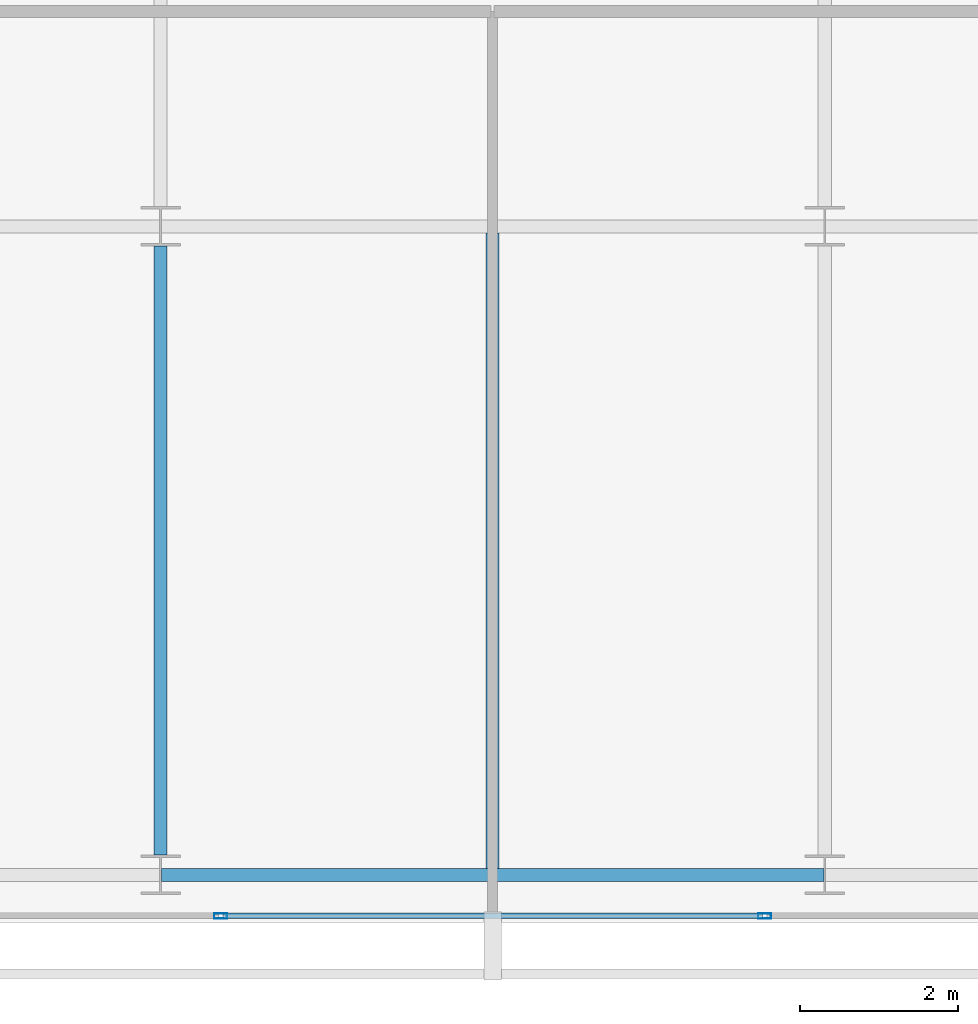
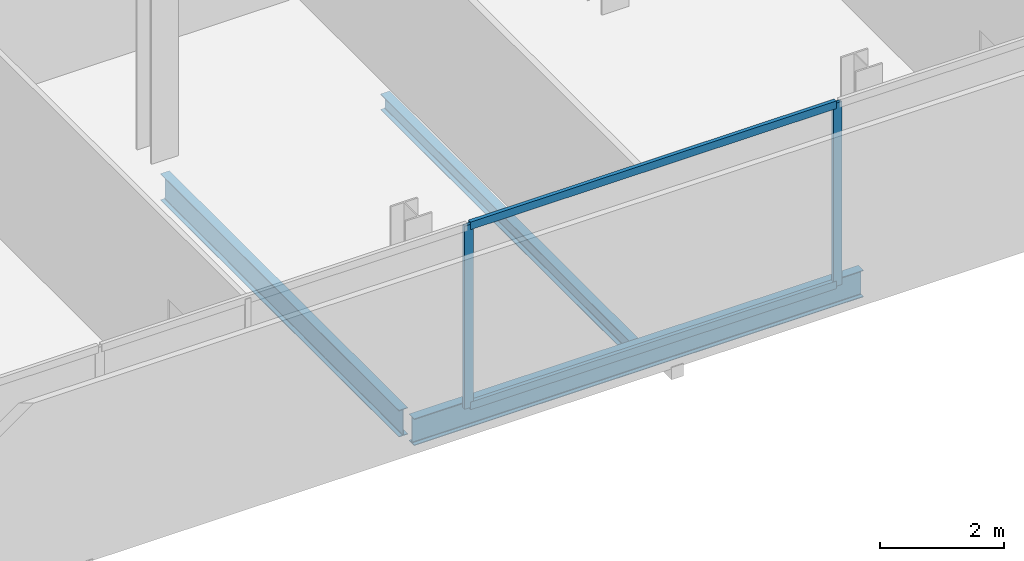
# One storey, part 6 of 25: 4 members, 3 beams, 1 element without a shape of its own.
"""IFC4 building model written with IfcOpenShell, lengths in metres."""

from ifc_helpers import new_model, si_unit, direction, frame, origin, origin_2d, place, context, subcontext, project, spatial, hollow_rectangle, i_section, extrude, material, layer, layer_set, material_profile, profile_set, type_object, element, aggregate, save


model = new_model("IFC4")

# Units and contexts
model_context = context("Model", 3, precision=1e-05, world=origin(), true_north=direction((0.0, 1.0)))
body_context = subcontext(model_context, "Body", "Model", "MODEL_VIEW")
ifc_project = project(units=[si_unit("LENGTHUNIT", "METRE"), si_unit("AREAUNIT", "SQUARE_METRE"), si_unit("VOLUMEUNIT", "CUBIC_METRE"), si_unit("PLANEANGLEUNIT", "RADIAN"), si_unit("MASSUNIT", "GRAM", prefix="KILO")], contexts=[model_context])

# Site, building, storey
site_placement = place(None, origin())
site = spatial("IfcSite", under=ifc_project, at=site_placement, CompositionType="ELEMENT")
building_placement = place(site_placement, origin())
building = spatial("IfcBuilding", under=site, at=building_placement, Name="Maruvema Waterfront Hotel and Observation Tower", CompositionType="ELEMENT")
storey_placement = place(building_placement, frame((0.0, 0.0, 281.75)))
storey = spatial("IfcBuildingStorey", under=building, at=storey_placement, Name="L69", CompositionType="ELEMENT", Elevation=281.75)

# Curtain wall, members
ifc_material_1 = material(Name="Anodised bronze aluminium and solar-control low-E IGU", Category="aluminium")
ifc_layer = layer(ifc_material_1, 0.159912109375, Name="Zone 3 Champagne Inner Thermal Curtain Wall System CW-04")
ifc_layer_set = layer_set([ifc_layer], Name="Anodised bronze aluminium and solar-control low-E IGU")
curtain_wall_type = type_object("IfcCurtainWallType", Name="Zone 3 Champagne Inner Thermal Curtain Wall System CW-04", PredefinedType="USERDEFINED", material=ifc_layer_set)
curtain_wall_placement = place(storey_placement, origin())
curtain_wall = element("IfcCurtainWall", 1, at=curtain_wall_placement, inside=storey, type_object=curtain_wall_type, Name="L69 Curtain Wall CW-L69-S", ObjectType="UNITISED CURTAIN WALL", PredefinedType="USERDEFINED")
ifc_material_2 = material(Name="Anodised architectural bronze aluminium", Category="aluminium")
ifc_material_profile_1 = material_profile(ifc_material_2, hollow_rectangle(XDim=0.070068359375, YDim=0.14990234375, WallThickness=0.00390625, at=origin_2d()), Name="ALU-T70x150")
ifc_profile_set_1 = profile_set([ifc_material_profile_1], Name="Anodised architectural bronze aluminium")
member_type_1 = type_object("IfcMemberType", Name="Curtain Wall Horizontal Transom ALU-T70x150", PredefinedType="USERDEFINED", material=ifc_profile_set_1)
member_1_placement = place(storey_placement, frame((34.389892578125, 9.280029296875, 0.030029296875), z_axis=(1.0, 0.0, 0.0), x_axis=(0.0, 1.0, 0.0)))
member_1 = element("IfcMember", 2, at=member_1_placement, type_object=member_type_1, Name="CW-04 transom 3.1", ObjectType="TRANSOM", PredefinedType="USERDEFINED", context=body_context, shape_type="SweptSolid", body=[
    extrude(hollow_rectangle(XDim=0.070068359375, YDim=0.14990234375, WallThickness=0.00390625, at=origin_2d()), origin(), (0.0, 0.0, 1.0), 6.820068359375),
])
member_2_placement = place(storey_placement, frame((34.389892578125, 9.280029296875, 3.580078125), z_axis=(1.0, 0.0, 0.0), x_axis=(0.0, 1.0, 0.0)))
member_2 = element("IfcMember", 3, at=member_2_placement, type_object=member_type_1, Name="CW-04 transom 3.2", ObjectType="TRANSOM", PredefinedType="USERDEFINED", context=body_context, shape_type="SweptSolid", body=[
    extrude(hollow_rectangle(XDim=0.070068359375, YDim=0.14990234375, WallThickness=0.00390625, at=origin_2d()), origin(), (0.0, 0.0, 1.0), 6.820068359375),
])
ifc_material_3 = material(Name="Anodised architectural bronze aluminium", Category="aluminium")
ifc_material_profile_2 = material_profile(ifc_material_3, hollow_rectangle(XDim=0.06494140625, YDim=0.1650390625, WallThickness=0.00390625, at=origin_2d()), Name="ALU-M65x165")
ifc_profile_set_2 = profile_set([ifc_material_profile_2], Name="Anodised architectural bronze aluminium")
member_type_2 = type_object("IfcMemberType", Name="Curtain Wall Primary Mullion ALU-M65x165", PredefinedType="MULLION", material=ifc_profile_set_2)
member_3_placement = place(storey_placement, frame((34.360107421875, 9.280029296875, 0.0), z_axis=(0.0, 0.0, 1.0), x_axis=(0.0, 1.0, 0.0)))
member_3 = element("IfcMember", 4, at=member_3_placement, type_object=member_type_2, Name="CW-04 mullion 3", PredefinedType="MULLION", context=body_context, shape_type="SweptSolid", body=[
    extrude(hollow_rectangle(XDim=0.06494140625, YDim=0.1650390625, WallThickness=0.00390625, at=origin_2d()), origin(), (0.0, 0.0, 1.0), 3.610107421875),
])
member_4_placement = place(storey_placement, frame((41.239990234375, 9.280029296875, 0.0), z_axis=(0.0, 0.0, 1.0), x_axis=(0.0, 1.0, 0.0)))
member_4 = element("IfcMember", 5, at=member_4_placement, type_object=member_type_2, Name="CW-04 mullion 4", PredefinedType="MULLION", context=body_context, shape_type="SweptSolid", body=[
    extrude(hollow_rectangle(XDim=0.06494140625, YDim=0.1650390625, WallThickness=0.00390625, at=origin_2d()), origin(), (0.0, 0.0, 1.0), 3.610107421875),
])
aggregate(curtain_wall, [member_3, member_4, member_1, member_2])

# Beams
ifc_material_4 = material(Name="Steel ASTM A572 Grade 50", Category="steel")
ifc_material_profile_3 = material_profile(ifc_material_4, i_section(OverallWidth=0.166015625, OverallDepth=0.529052734375, WebThickness=0.009765625, FlangeThickness=0.013671875, FilletRadius=0.014892578125, at=origin_2d()), Name="W530x74.0")
ifc_profile_set_3 = profile_set([ifc_material_profile_3], Name="Steel ASTM A572 Grade 50")
beam_type_1 = type_object("IfcBeamType", Name="Primary Floor Girder W530x74.0", PredefinedType="BEAM", material=ifc_profile_set_3)
beam_1_placement = place(storey_placement, frame((33.611083984375, 9.800048828125, -0.50439453125), z_axis=(1.0, 0.0, 0.0), x_axis=(0.0, 1.0, 0.0)))
element("IfcBeam", 6, at=beam_1_placement, inside=storey, type_object=beam_type_1, Name="L69 Floor Girder EW-02", PredefinedType="BEAM", context=body_context, shape_type="SweptSolid", body=[
    extrude(i_section(OverallWidth=0.166015625, OverallDepth=0.529052734375, WebThickness=0.009765625, FlangeThickness=0.013671875, FilletRadius=0.014892578125, at=origin_2d()), origin(), (0.0, 0.0, 1.0), 8.3779296875),
])
beam_2_placement = place(storey_placement, frame((33.60009765625, 10.050048828125, -0.50439453125), z_axis=(0.0, 1.0, 0.0), x_axis=(-1.0, 0.0, 0.0)))
element("IfcBeam", 7, at=beam_2_placement, inside=storey, type_object=beam_type_1, Name="L69 Floor Girder NS-08", PredefinedType="BEAM", context=body_context, shape_type="SweptSolid", body=[
    extrude(i_section(OverallWidth=0.166015625, OverallDepth=0.529052734375, WebThickness=0.009765625, FlangeThickness=0.013671875, FilletRadius=0.014892578125, at=origin_2d()), origin(), (0.0, 0.0, 1.0), 7.699951171875),
])
ifc_material_5 = material(Name="Steel ASTM A572 Grade 50", Category="steel")
ifc_material_profile_4 = material_profile(ifc_material_5, i_section(OverallWidth=0.1669921875, OverallDepth=0.31689453125, WebThickness=0.007568359375, FlangeThickness=0.01318359375, FilletRadius=0.012939453125, at=origin_2d()), Name="W310x52.0")
ifc_profile_set_4 = profile_set([ifc_material_profile_4], Name="Steel ASTM A572 Grade 50")
beam_type_2 = type_object("IfcBeamType", Name="Secondary Floor Joist W310x52.0", PredefinedType="JOIST", material=ifc_profile_set_4)
beam_3_placement = place(storey_placement, frame((37.800048828125, 9.883056640625, -0.3984375), z_axis=(0.0, 1.0, 0.0), x_axis=(-1.0, 0.0, 0.0)))
element("IfcBeam", 8, at=beam_3_placement, inside=storey, type_object=beam_type_2, Name="L69 Secondary Floor Joist JS-05", PredefinedType="JOIST", context=body_context, shape_type="SweptSolid", body=[
    extrude(i_section(OverallWidth=0.1669921875, OverallDepth=0.31689453125, WebThickness=0.007568359375, FlangeThickness=0.01318359375, FilletRadius=0.012939453125, at=origin_2d()), origin(), (0.0, 0.0, 1.0), 8.033935546875),
])

save(model, "model.ifc")
